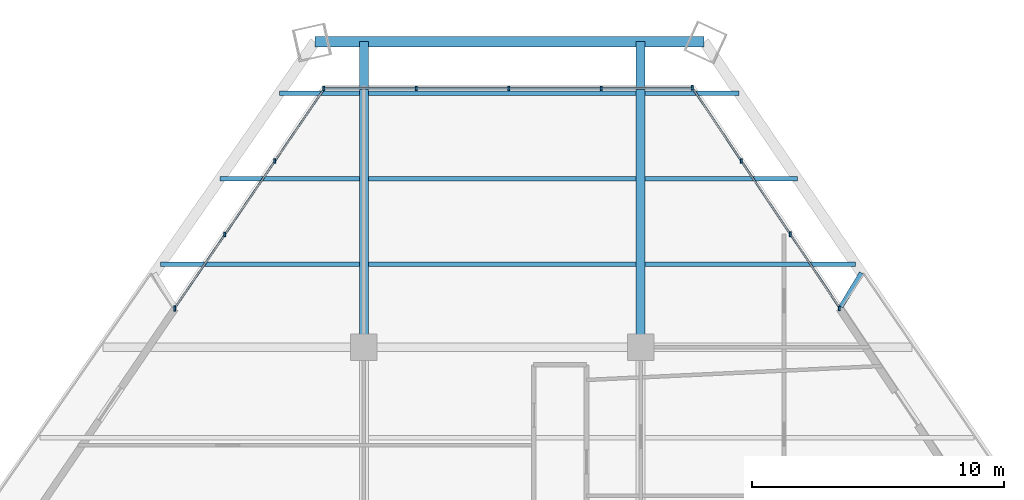
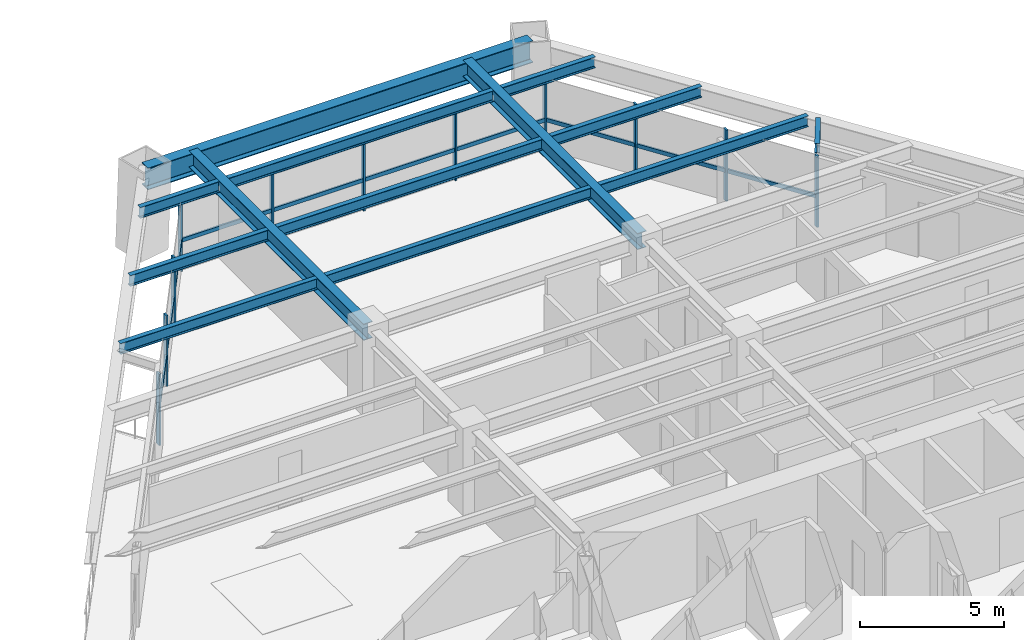
# One storey, part 8 of 14: 22 members, 13 beams, 3 elements without a shape of their own.
"""IFC4 building model written with IfcOpenShell, lengths in metres."""

from ifc_helpers import new_model, si_unit, direction, frame, origin, origin_2d, place, context, subcontext, project, spatial, rectangle, i_section, extrude, source, transform, mapped, material, material_profile, profile_set, type_object, type_shapes, element, aggregate, save


model = new_model("IFC4")

# Units and contexts
model_context = context("Model", 3, precision=1e-05, world=origin(), true_north=direction((0.0, 1.0)))
body_context = subcontext(model_context, "Body", "Model", "MODEL_VIEW")
ifc_project = project(units=[si_unit("LENGTHUNIT", "METRE"), si_unit("AREAUNIT", "SQUARE_METRE"), si_unit("VOLUMEUNIT", "CUBIC_METRE"), si_unit("PLANEANGLEUNIT", "RADIAN"), si_unit("MASSUNIT", "GRAM", prefix="KILO")], contexts=[model_context])

# Site, building, storey
site_placement = place(None, origin())
site = spatial("IfcSite", under=ifc_project, at=site_placement, CompositionType="ELEMENT")
building_placement = place(site_placement, origin())
building = spatial("IfcBuilding", under=site, at=building_placement, Name="Varnakhor Terracotta Tower", CompositionType="ELEMENT")
storey_placement = place(building_placement, frame((0.0, 0.0, 49.699951171875)))
storey = spatial("IfcBuildingStorey", under=building, at=storey_placement, Name="L11", CompositionType="ELEMENT", Elevation=49.699951171875)

# Beams
ifc_material_1 = material(Name="Steel S355", Category="steel")
ifc_material_profile_1 = material_profile(ifc_material_1, i_section(OverallWidth=0.19189453125, OverallDepth=0.462890625, WebThickness=0.010498046875, FlangeThickness=0.017578125, FilletRadius=0.01806640625, at=origin_2d()), Name="W18X60")
ifc_profile_set_1 = profile_set([ifc_material_profile_1], Name="Steel S355")
beam_type_1 = type_object("IfcBeamType", Name="JST-W18X60", PredefinedType="JOIST", material=ifc_profile_set_1)
shared_shape_1 = source(origin(), body_context, "Body", "SweptSolid", [
    extrude(i_section(OverallWidth=0.19189453125, OverallDepth=0.462890625, WebThickness=0.010498046875, FlangeThickness=0.017578125, FilletRadius=0.01806640625, at=origin_2d()), origin(), (0.0, 0.0, 1.0), 10.65283203125),
])
for number, where, z_axis, x_axis, name in (
    (1, (-5.326416015625, 34.800048828125, 3.218505859375), (1.0, 0.0, 0.0), (0.0, 1.0, 0.0), "L11 Composite Floor Joist 7-2"),
    (2, (-5.326416015625, 38.199951171875, 3.218505859375), (1.0, 0.0, 0.0), (0.0, 1.0, 0.0), "L11 Composite Floor Joist 8-2"),
    (3, (-5.326416015625, 41.60009765625, 3.218505859375), (1.0, 0.0, 0.0), (0.0, 1.0, 0.0), "L11 Composite Floor Joist 9-2"),
):
    element("IfcBeam", number, at=place(storey_placement, frame(where, z_axis=z_axis, x_axis=x_axis)), inside=storey, type_object=beam_type_1, Name=name, PredefinedType="JOIST", context=body_context, shape_type="MappedRepresentation", body=[
        mapped(shared_shape_1, transform((0.0, 0.0, 0.0), scale=1.0)),
    ])
ifc_material_profile_2 = material_profile(ifc_material_1, i_section(OverallWidth=0.41796875, OverallDepth=0.927001953125, WebThickness=0.01904296875, FlangeThickness=0.031982421875, FilletRadius=0.01806640625, at=origin_2d()), Name="W36X231")
ifc_profile_set_2 = profile_set([ifc_material_profile_2], Name="Steel S355")
beam_type_2 = type_object("IfcBeamType", Name="BM-W36X231", PredefinedType="BEAM", material=ifc_profile_set_2)
shared_shape_2 = source(origin(), body_context, "Body", "SweptSolid", [
    extrude(i_section(OverallWidth=0.41796875, OverallDepth=0.927001953125, WebThickness=0.01904296875, FlangeThickness=0.031982421875, FilletRadius=0.01806640625, at=origin_2d()), origin(), (0.0, 0.0, 1.0), 15.46337890625),
])
beam_1_placement = place(storey_placement, frame((8.021728515625, 43.647705078125, 2.986572265625), z_axis=(-1.0, 0.0, 0.0), x_axis=(0.0, -1.0, 0.0)))
element("IfcBeam", 4, at=beam_1_placement, inside=storey, type_object=beam_type_2, Name="L11 Perimeter Spandrel 5", PredefinedType="BEAM", context=body_context, shape_type="MappedRepresentation", body=[
    mapped(shared_shape_2, transform((0.0, 0.0, 0.0), scale=1.0)),
])
ifc_material_profile_3 = material_profile(ifc_material_1, i_section(OverallWidth=0.35498046875, OverallDepth=0.695068359375, WebThickness=0.014892578125, FlangeThickness=0.02490234375, FilletRadius=0.01806640625, at=origin_2d()), Name="W27X146")
ifc_profile_set_3 = profile_set([ifc_material_profile_3], Name="Steel S355")
beam_type_3 = type_object("IfcBeamType", Name="BM-W27X146", PredefinedType="BEAM", material=ifc_profile_set_3)
shared_shape_3 = source(origin(), body_context, "Body", "SweptSolid", [
    extrude(i_section(OverallWidth=0.35498046875, OverallDepth=0.695068359375, WebThickness=0.014892578125, FlangeThickness=0.02490234375, FilletRadius=0.01806640625, at=origin_2d()), origin(), (0.0, 0.0, 1.0), 12.147705078125),
])
for number, where, z_axis, x_axis, name in (
    (5, (-5.5, 31.5, 3.1025390625), (0.0, 1.0, 0.0), (-1.0, 0.0, 0.0), "L11 Primary Girder NS3-W"),
    (6, (5.5, 31.5, 3.1025390625), (0.0, 1.0, 0.0), (-1.0, 0.0, 0.0), "L11 Primary Girder NS3-E"),
):
    element("IfcBeam", number, at=place(storey_placement, frame(where, z_axis=z_axis, x_axis=x_axis)), inside=storey, type_object=beam_type_3, Name=name, PredefinedType="BEAM", context=body_context, shape_type="MappedRepresentation", body=[
        mapped(shared_shape_3, transform((0.0, 0.0, 0.0), scale=1.0)),
    ])
shared_shape_4 = source(origin(), body_context, "Body", "SweptSolid", [
    extrude(i_section(OverallWidth=0.19189453125, OverallDepth=0.462890625, WebThickness=0.010498046875, FlangeThickness=0.017578125, FilletRadius=0.01806640625, at=origin_2d()), origin(), (0.0, 0.0, 1.0), 7.91015625),
])
beam_2_placement = place(storey_placement, frame((-13.583740234375, 34.800048828125, 3.218505859375), z_axis=(1.0, 0.0, 0.0), x_axis=(0.0, 1.0, 0.0)))
element("IfcBeam", 7, at=beam_2_placement, inside=storey, type_object=beam_type_1, Name="L11 Composite Floor Joist 7-1", PredefinedType="JOIST", context=body_context, shape_type="MappedRepresentation", body=[
    mapped(shared_shape_4, transform((0.0, 0.0, 0.0), scale=1.0)),
])
shared_shape_5 = source(origin(), body_context, "Body", "SweptSolid", [
    extrude(i_section(OverallWidth=0.19189453125, OverallDepth=0.462890625, WebThickness=0.010498046875, FlangeThickness=0.017578125, FilletRadius=0.01806640625, at=origin_2d()), origin(), (0.0, 0.0, 1.0), 8.372802734375),
])
beam_3_placement = place(storey_placement, frame((5.673583984375, 34.800048828125, 3.218505859375), z_axis=(1.0, 0.0, 0.0), x_axis=(0.0, 1.0, 0.0)))
element("IfcBeam", 8, at=beam_3_placement, inside=storey, type_object=beam_type_1, Name="L11 Composite Floor Joist 7-3", PredefinedType="JOIST", context=body_context, shape_type="MappedRepresentation", body=[
    mapped(shared_shape_5, transform((0.0, 0.0, 0.0), scale=1.0)),
])
shared_shape_6 = source(origin(), body_context, "Body", "SweptSolid", [
    extrude(i_section(OverallWidth=0.19189453125, OverallDepth=0.462890625, WebThickness=0.010498046875, FlangeThickness=0.017578125, FilletRadius=0.01806640625, at=origin_2d()), origin(), (0.0, 0.0, 1.0), 5.5498046875),
])
beam_4_placement = place(storey_placement, frame((-11.223388671875, 38.199951171875, 3.218505859375), z_axis=(1.0, 0.0, 0.0), x_axis=(0.0, 1.0, 0.0)))
element("IfcBeam", 9, at=beam_4_placement, inside=storey, type_object=beam_type_1, Name="L11 Composite Floor Joist 8-1", PredefinedType="JOIST", context=body_context, shape_type="MappedRepresentation", body=[
    mapped(shared_shape_6, transform((0.0, 0.0, 0.0), scale=1.0)),
])
shared_shape_7 = source(origin(), body_context, "Body", "SweptSolid", [
    extrude(i_section(OverallWidth=0.19189453125, OverallDepth=0.462890625, WebThickness=0.010498046875, FlangeThickness=0.017578125, FilletRadius=0.01806640625, at=origin_2d()), origin(), (0.0, 0.0, 1.0), 6.0576171875),
])
beam_5_placement = place(storey_placement, frame((5.673583984375, 38.199951171875, 3.218505859375), z_axis=(1.0, 0.0, 0.0), x_axis=(0.0, 1.0, 0.0)))
element("IfcBeam", 10, at=beam_5_placement, inside=storey, type_object=beam_type_1, Name="L11 Composite Floor Joist 8-3", PredefinedType="JOIST", context=body_context, shape_type="MappedRepresentation", body=[
    mapped(shared_shape_7, transform((0.0, 0.0, 0.0), scale=1.0)),
])
shared_shape_8 = source(origin(), body_context, "Body", "SweptSolid", [
    extrude(i_section(OverallWidth=0.19189453125, OverallDepth=0.462890625, WebThickness=0.010498046875, FlangeThickness=0.017578125, FilletRadius=0.01806640625, at=origin_2d()), origin(), (0.0, 0.0, 1.0), 3.189453125),
])
beam_6_placement = place(storey_placement, frame((-8.863037109375, 41.60009765625, 3.218505859375), z_axis=(1.0, 0.0, 0.0), x_axis=(0.0, 1.0, 0.0)))
element("IfcBeam", 11, at=beam_6_placement, inside=storey, type_object=beam_type_1, Name="L11 Composite Floor Joist 9-1", PredefinedType="JOIST", context=body_context, shape_type="MappedRepresentation", body=[
    mapped(shared_shape_8, transform((0.0, 0.0, 0.0), scale=1.0)),
])
shared_shape_9 = source(origin(), body_context, "Body", "SweptSolid", [
    extrude(i_section(OverallWidth=0.19189453125, OverallDepth=0.462890625, WebThickness=0.010498046875, FlangeThickness=0.017578125, FilletRadius=0.01806640625, at=origin_2d()), origin(), (0.0, 0.0, 1.0), 3.742431640625),
])
beam_7_placement = place(storey_placement, frame((5.673583984375, 41.60009765625, 3.218505859375), z_axis=(1.0, 0.0, 0.0), x_axis=(0.0, 1.0, 0.0)))
element("IfcBeam", 12, at=beam_7_placement, inside=storey, type_object=beam_type_1, Name="L11 Composite Floor Joist 9-3", PredefinedType="JOIST", context=body_context, shape_type="MappedRepresentation", body=[
    mapped(shared_shape_9, transform((0.0, 0.0, 0.0), scale=1.0)),
])

# Curtain wall, members
ifc_material_2 = material(Name="Anodised Aluminium Curtain Wall System", Category="aluminium")
curtain_wall_type = type_object("IfcCurtainWallType", Name="CW-SYS-LOW-OFFICE", PredefinedType="NOTDEFINED", material=ifc_material_2)
curtain_wall_1_placement = place(storey_placement, origin())
curtain_wall_1 = element("IfcCurtainWall", 13, at=curtain_wall_1_placement, inside=storey, type_object=curtain_wall_type, Name="L11 W Facet Curtain Wall 2", PredefinedType="NOTDEFINED")
ifc_material_3 = material(Name="Anodised Aluminium 6063-T6", Category="aluminium")
ifc_material_profile_4 = material_profile(ifc_material_3, rectangle(XDim=0.074951171875, YDim=0.18505859375, at=origin_2d()), Name="ALU MULLION 75x185")
ifc_profile_set_4 = profile_set([ifc_material_profile_4], Name="Anodised Aluminium 6063-T6")
member_type_1 = type_object("IfcMemberType", Name="CWM-02", PredefinedType="MULLION", material=ifc_profile_set_4)
shared_shape_10 = source(origin(), body_context, "Body", "SweptSolid", [
    extrude(rectangle(XDim=0.074951171875, YDim=0.18505859375, at=origin_2d()), origin(), (0.0, 0.0, 1.0), 3.030029296875),
])
type_shapes(member_type_1, [shared_shape_10])
member_1_placement = place(storey_placement, frame((-13.013427734375, 33.064697265625, 0.0), z_axis=(0.0, 0.0, 1.0), x_axis=(1.0, 0.0, 0.0)))
member_1 = element("IfcMember", 14, at=member_1_placement, type_object=member_type_1, Name="L11 W Facet Curtain Wall 2 Mullion 1", PredefinedType="MULLION", context=body_context, shape_type="MappedRepresentation", body=[
    mapped(shared_shape_10, transform((0.0, 0.0, 0.0), scale=1.0)),
])
member_2_placement = place(storey_placement, frame((-11.0263671875, 35.982421875, 0.0), z_axis=(0.0, 0.0, 1.0), x_axis=(1.0, 0.0, 0.0)))
member_2 = element("IfcMember", 15, at=member_2_placement, type_object=member_type_1, Name="L11 W Facet Curtain Wall 2 Mullion 2", PredefinedType="MULLION", context=body_context, shape_type="MappedRepresentation", body=[
    mapped(shared_shape_10, transform((0.0, 0.0, 0.0), scale=1.0)),
])
member_3_placement = place(storey_placement, frame((-9.039306640625, 38.89990234375, 0.0), z_axis=(0.0, 0.0, 1.0), x_axis=(1.0, 0.0, 0.0)))
member_3 = element("IfcMember", 16, at=member_3_placement, type_object=member_type_1, Name="L11 W Facet Curtain Wall 2 Mullion 3", PredefinedType="MULLION", context=body_context, shape_type="MappedRepresentation", body=[
    mapped(shared_shape_10, transform((0.0, 0.0, 0.0), scale=1.0)),
])
member_4_placement = place(storey_placement, frame((-13.013916015625, 33.02880859375, 0.0), z_axis=(0.0, 0.0, 1.0), x_axis=(1.0, 0.0, 0.0)))
member_4 = element("IfcMember", 17, at=member_4_placement, type_object=member_type_1, Name="L11 W Loggia Jamb Closure Mullion 2", PredefinedType="MULLION", context=body_context, shape_type="MappedRepresentation", body=[
    mapped(shared_shape_10, transform((0.0, 0.0, 0.0), scale=1.0)),
])

curtain_wall_2_placement = place(storey_placement, origin())
curtain_wall_2 = element("IfcCurtainWall", 18, at=curtain_wall_2_placement, inside=storey, type_object=curtain_wall_type, Name="L11 Facet Curtain Wall 2", PredefinedType="NOTDEFINED")
member_5_placement = place(storey_placement, frame((-7.104248046875, 41.789794921875, 0.0), z_axis=(0.0, 0.0, 1.0), x_axis=(1.0, 0.0, 0.0)))
member_5 = element("IfcMember", 19, at=member_5_placement, type_object=member_type_1, Name="L11 Facet Curtain Wall 2 Mullion 1", PredefinedType="MULLION", context=body_context, shape_type="MappedRepresentation", body=[
    mapped(shared_shape_10, transform((0.0, 0.0, 0.0), scale=1.0)),
])
member_6_placement = place(storey_placement, frame((-3.42626953125, 41.789794921875, 0.0), z_axis=(0.0, 0.0, 1.0), x_axis=(1.0, 0.0, 0.0)))
member_6 = element("IfcMember", 20, at=member_6_placement, type_object=member_type_1, Name="L11 Facet Curtain Wall 2 Mullion 2", PredefinedType="MULLION", context=body_context, shape_type="MappedRepresentation", body=[
    mapped(shared_shape_10, transform((0.0, 0.0, 0.0), scale=1.0)),
])
member_7_placement = place(storey_placement, frame((0.251953125, 41.789794921875, 0.0), z_axis=(0.0, 0.0, 1.0), x_axis=(1.0, 0.0, 0.0)))
member_7 = element("IfcMember", 21, at=member_7_placement, type_object=member_type_1, Name="L11 Facet Curtain Wall 2 Mullion 3", PredefinedType="MULLION", context=body_context, shape_type="MappedRepresentation", body=[
    mapped(shared_shape_10, transform((0.0, 0.0, 0.0), scale=1.0)),
])
member_8_placement = place(storey_placement, frame((3.93017578125, 41.789794921875, 0.0), z_axis=(0.0, 0.0, 1.0), x_axis=(1.0, 0.0, 0.0)))
member_8 = element("IfcMember", 22, at=member_8_placement, type_object=member_type_1, Name="L11 Facet Curtain Wall 2 Mullion 4", PredefinedType="MULLION", context=body_context, shape_type="MappedRepresentation", body=[
    mapped(shared_shape_10, transform((0.0, 0.0, 0.0), scale=1.0)),
])

curtain_wall_3_placement = place(storey_placement, origin())
curtain_wall_3 = element("IfcCurtainWall", 23, at=curtain_wall_3_placement, inside=storey, type_object=curtain_wall_type, Name="L11 E Facet Curtain Wall 1", PredefinedType="NOTDEFINED")
member_9_placement = place(storey_placement, frame((7.55517578125, 41.818115234375, 0.0), z_axis=(0.0, 0.0, 1.0), x_axis=(1.0, 0.0, 0.0)))
member_9 = element("IfcMember", 24, at=member_9_placement, type_object=member_type_1, Name="L11 E Facet Curtain Wall 1 Mullion 1", PredefinedType="MULLION", context=body_context, shape_type="MappedRepresentation", body=[
    mapped(shared_shape_10, transform((0.0, 0.0, 0.0), scale=1.0)),
])
member_10_placement = place(storey_placement, frame((9.504638671875, 38.904296875, 0.0), z_axis=(0.0, 0.0, 1.0), x_axis=(1.0, 0.0, 0.0)))
member_10 = element("IfcMember", 25, at=member_10_placement, type_object=member_type_1, Name="L11 E Facet Curtain Wall 1 Mullion 2", PredefinedType="MULLION", context=body_context, shape_type="MappedRepresentation", body=[
    mapped(shared_shape_10, transform((0.0, 0.0, 0.0), scale=1.0)),
])
member_11_placement = place(storey_placement, frame((11.4541015625, 35.99072265625, 0.0), z_axis=(0.0, 0.0, 1.0), x_axis=(1.0, 0.0, 0.0)))
member_11 = element("IfcMember", 26, at=member_11_placement, type_object=member_type_1, Name="L11 E Facet Curtain Wall 1 Mullion 3", PredefinedType="MULLION", context=body_context, shape_type="MappedRepresentation", body=[
    mapped(shared_shape_10, transform((0.0, 0.0, 0.0), scale=1.0)),
])
member_12_placement = place(storey_placement, frame((13.40380859375, 33.041015625, 0.0), z_axis=(0.0, 0.0, 1.0), x_axis=(1.0, 0.0, 0.0)))
member_12 = element("IfcMember", 27, at=member_12_placement, type_object=member_type_1, Name="L11 E Loggia Jamb Closure Mullion 1", PredefinedType="MULLION", context=body_context, shape_type="MappedRepresentation", body=[
    mapped(shared_shape_10, transform((0.0, 0.0, 0.0), scale=1.0)),
])

# Member
ifc_material_profile_5 = material_profile(ifc_material_3, rectangle(XDim=0.074951171875, YDim=0.1650390625, at=origin_2d()), Name="ALU TRANSOM 75x165")
ifc_profile_set_5 = profile_set([ifc_material_profile_5], Name="Anodised Aluminium 6063-T6")
member_type_2 = type_object("IfcMemberType", Name="CWT-02", PredefinedType="USERDEFINED", material=ifc_profile_set_5)
shared_shape_11 = source(origin(), body_context, "Body", "SweptSolid", [
    extrude(rectangle(XDim=0.074951171875, YDim=0.1650390625, at=origin_2d()), origin(), (0.0, 0.0, 1.0), 3.52978515625),
])
member_13_placement = place(storey_placement, frame((-11.0263671875, 35.982421875, 1.272705078125), z_axis=(0.562924697932, 0.826508187774, 0.0), x_axis=(-0.826508187774, 0.562924697932, 0.0)))
member_13 = element("IfcMember", 28, at=member_13_placement, type_object=member_type_2, Name="L11 W Facet Curtain Wall 2 Transom 2", ObjectType="TRANSOM", PredefinedType="USERDEFINED", context=body_context, shape_type="MappedRepresentation", body=[
    mapped(shared_shape_11, transform((0.0, 0.0, 0.0), scale=1.0)),
])

shared_shape_12 = source(origin(), body_context, "Body", "SweptSolid", [
    extrude(rectangle(XDim=0.074951171875, YDim=0.1650390625, at=origin_2d()), origin(), (0.0, 0.0, 1.0), 3.530029296875),
])
member_14_placement = place(storey_placement, frame((-13.013427734375, 33.064697265625, 1.272705078125), z_axis=(0.562892520036, 0.826530102832, 0.0), x_axis=(-0.826530102832, 0.562892520036, 0.0)))
member_14 = element("IfcMember", 29, at=member_14_placement, type_object=member_type_2, Name="L11 W Facet Curtain Wall 2 Transom 1", ObjectType="TRANSOM", PredefinedType="USERDEFINED", context=body_context, shape_type="MappedRepresentation", body=[
    mapped(shared_shape_12, transform((0.0, 0.0, 0.0), scale=1.0)),
])

member_15_placement = place(storey_placement, frame((-9.039306640625, 38.89990234375, 1.272705078125), z_axis=(0.562971942101, 0.826476008367, 0.0), x_axis=(-0.826476008367, 0.562971942101, 0.0)))
member_15 = element("IfcMember", 30, at=member_15_placement, type_object=member_type_2, Name="L11 W Facet Curtain Wall 2 Transom 3", ObjectType="TRANSOM", PredefinedType="USERDEFINED", context=body_context, shape_type="MappedRepresentation", body=[
    mapped(shared_shape_12, transform((0.0, 0.0, 0.0), scale=1.0)),
])

aggregate(curtain_wall_1, [member_1, member_14, member_2, member_13, member_3, member_15, member_4])

shared_shape_13 = source(origin(), body_context, "Body", "SweptSolid", [
    extrude(rectangle(XDim=0.074951171875, YDim=0.1650390625, at=origin_2d()), origin(), (0.0, 0.0, 1.0), 3.677978515625),
])
member_16_placement = place(storey_placement, frame((-7.104248046875, 41.789794921875, 1.272705078125), z_axis=(1.0, 0.0, 0.0), x_axis=(0.0, 1.0, 0.0)))
member_16 = element("IfcMember", 31, at=member_16_placement, type_object=member_type_2, Name="L11 Facet Curtain Wall 2 Transom 1", ObjectType="TRANSOM", PredefinedType="USERDEFINED", context=body_context, shape_type="MappedRepresentation", body=[
    mapped(shared_shape_13, transform((0.0, 0.0, 0.0), scale=1.0)),
])

member_17_placement = place(storey_placement, frame((3.93017578125, 41.789794921875, 1.272705078125), z_axis=(1.0, 0.0, 0.0), x_axis=(0.0, 1.0, 0.0)))
member_17 = element("IfcMember", 32, at=member_17_placement, type_object=member_type_2, Name="L11 Facet Curtain Wall 2 Transom 4", ObjectType="TRANSOM", PredefinedType="USERDEFINED", context=body_context, shape_type="MappedRepresentation", body=[
    mapped(shared_shape_13, transform((0.0, 0.0, 0.0), scale=1.0)),
])

shared_shape_14 = source(origin(), body_context, "Body", "SweptSolid", [
    extrude(rectangle(XDim=0.074951171875, YDim=0.1650390625, at=origin_2d()), origin(), (0.0, 0.0, 1.0), 3.67822265625),
])
member_18_placement = place(storey_placement, frame((-3.42626953125, 41.789794921875, 1.272705078125), z_axis=(1.0, 0.0, 0.0), x_axis=(0.0, 1.0, 0.0)))
member_18 = element("IfcMember", 33, at=member_18_placement, type_object=member_type_2, Name="L11 Facet Curtain Wall 2 Transom 2", ObjectType="TRANSOM", PredefinedType="USERDEFINED", context=body_context, shape_type="MappedRepresentation", body=[
    mapped(shared_shape_14, transform((0.0, 0.0, 0.0), scale=1.0)),
])

member_19_placement = place(storey_placement, frame((0.251953125, 41.789794921875, 1.272705078125), z_axis=(1.0, 0.0, 0.0), x_axis=(0.0, 1.0, 0.0)))
member_19 = element("IfcMember", 34, at=member_19_placement, type_object=member_type_2, Name="L11 Facet Curtain Wall 2 Transom 3", ObjectType="TRANSOM", PredefinedType="USERDEFINED", context=body_context, shape_type="MappedRepresentation", body=[
    mapped(shared_shape_14, transform((0.0, 0.0, 0.0), scale=1.0)),
])

aggregate(curtain_wall_2, [member_5, member_16, member_6, member_18, member_7, member_19, member_8, member_17])

shared_shape_15 = source(origin(), body_context, "Body", "SweptSolid", [
    extrude(rectangle(XDim=0.074951171875, YDim=0.1650390625, at=origin_2d()), origin(), (0.0, 0.0, 1.0), 3.505859375),
])
member_20_placement = place(storey_placement, frame((7.55517578125, 41.818115234375, 1.272705078125), z_axis=(0.556065439618, -0.831138512441, 0.0), x_axis=(0.831138512441, 0.556065439618, 0.0)))
member_20 = element("IfcMember", 35, at=member_20_placement, type_object=member_type_2, Name="L11 E Facet Curtain Wall 1 Transom 1", ObjectType="TRANSOM", PredefinedType="USERDEFINED", context=body_context, shape_type="MappedRepresentation", body=[
    mapped(shared_shape_15, transform((0.0, 0.0, 0.0), scale=1.0)),
])

member_21_placement = place(storey_placement, frame((11.4541015625, 35.99072265625, 1.272705078125), z_axis=(0.556065439618, -0.831138512441, 0.0), x_axis=(0.831138512441, 0.556065439618, 0.0)))
member_21 = element("IfcMember", 36, at=member_21_placement, type_object=member_type_2, Name="L11 E Facet Curtain Wall 1 Transom 3", ObjectType="TRANSOM", PredefinedType="USERDEFINED", context=body_context, shape_type="MappedRepresentation", body=[
    mapped(shared_shape_15, transform((0.0, 0.0, 0.0), scale=1.0)),
])

shared_shape_16 = source(origin(), body_context, "Body", "SweptSolid", [
    extrude(rectangle(XDim=0.074951171875, YDim=0.1650390625, at=origin_2d()), origin(), (0.0, 0.0, 1.0), 3.505615234375),
])
member_22_placement = place(storey_placement, frame((9.504638671875, 38.904296875, 1.272705078125), z_axis=(0.556097625825, -0.831116977658, 0.0), x_axis=(0.831116977658, 0.556097625825, 0.0)))
member_22 = element("IfcMember", 37, at=member_22_placement, type_object=member_type_2, Name="L11 E Facet Curtain Wall 1 Transom 2", ObjectType="TRANSOM", PredefinedType="USERDEFINED", context=body_context, shape_type="MappedRepresentation", body=[
    mapped(shared_shape_16, transform((0.0, 0.0, 0.0), scale=1.0)),
])

aggregate(curtain_wall_3, [member_9, member_20, member_10, member_22, member_11, member_21, member_12])

# Beam
ifc_material_profile_6 = material_profile(ifc_material_1, i_section(OverallWidth=0.179931640625, OverallDepth=0.39990234375, WebThickness=0.008544921875, FlangeThickness=0.013427734375, FilletRadius=0.01806640625, at=origin_2d()), Name="IPE400")
ifc_profile_set_6 = profile_set([ifc_material_profile_6], Name="Steel S355")
beam_type_4 = type_object("IfcBeamType", Name="JST-IPE400", PredefinedType="JOIST", material=ifc_profile_set_6)
shared_shape_17 = source(origin(), body_context, "Body", "SweptSolid", [
    extrude(i_section(OverallWidth=0.179931640625, OverallDepth=0.39990234375, WebThickness=0.008544921875, FlangeThickness=0.013427734375, FilletRadius=0.01806640625, at=origin_2d()), origin(), (0.0, 0.0, 1.0), 1.57861328125),
])
beam_8_placement = place(storey_placement, frame((13.4619140625, 33.10595703125, 3.25), z_axis=(0.518832850118, 0.854875706543, 0.0), x_axis=(-0.854875706543, 0.518832850118, 0.0)))
element("IfcBeam", 38, at=beam_8_placement, inside=storey, type_object=beam_type_4, Name="L12 E Loggia Tie Beam 1", PredefinedType="JOIST", context=body_context, shape_type="MappedRepresentation", body=[
    mapped(shared_shape_17, transform((0.0, 0.0, 0.0), scale=1.0)),
])

save(model, "model.ifc")
